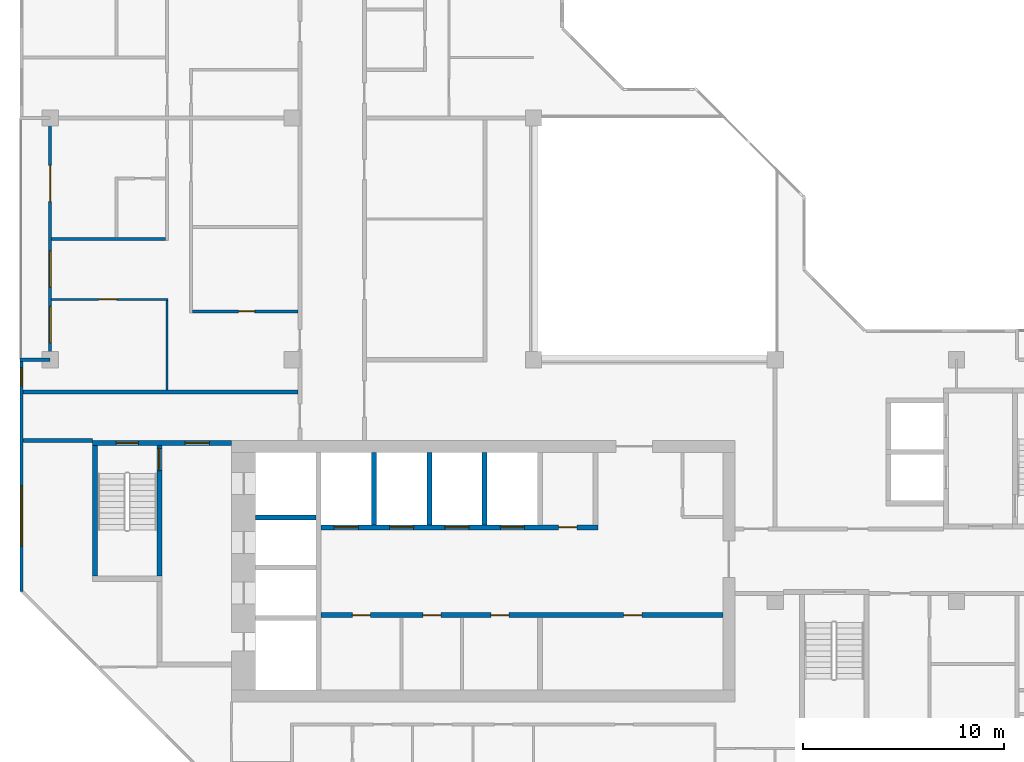
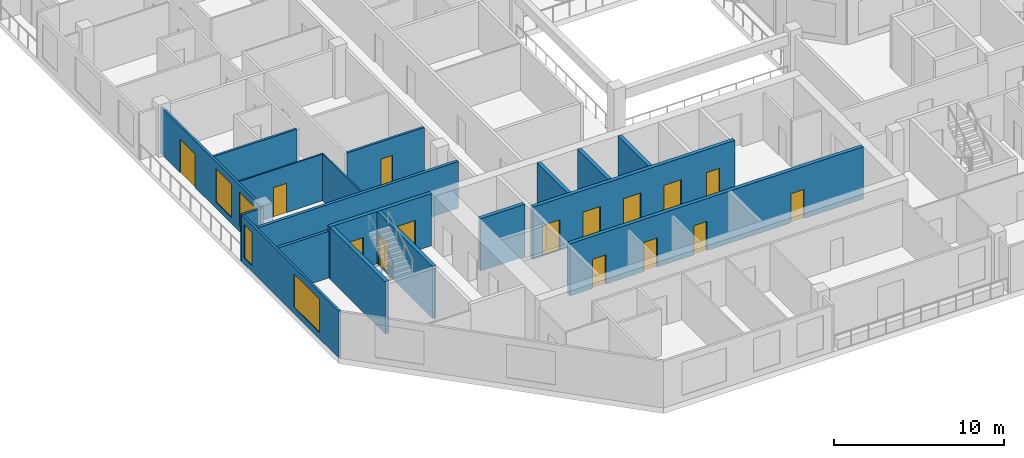
# One storey, part 5 of 13: 18 walls, 15 doors, 4 windows, 19 openings.
"""IFC4 building model written with IfcOpenShell, lengths in metres."""

import ifcopenshell
import ifcopenshell.guid

model = None  # the IFC model being written
_history = None  # IfcOwnerHistory: only IFC2X3 demands one
_inside = {}  # id of a spatial element -> (the spatial element, [elements in it])
_under = {}  # id of a project, library or spatial element -> (it, [spatial elements below it])
_declared = {}  # id of a project -> (the project, [libraries it declares])
_typed = {}  # id of a type object -> (the type object, [elements of that type])
_made_of = {}  # id of a material, layer set ... -> (it, [elements and type objects made of it])


def new_model(schema):
    """Start an empty IFC model of exactly this schema.

    Asked for "IFC4X3", IfcOpenShell would pick the latest addendum, in which some entities
    have other attributes; the version numbers below select the first issue.
    IFC2X3 requires an IfcOwnerHistory on every rooted entity: one is made here for all.
    """
    global model, _history
    if schema == "IFC4X3":
        model = ifcopenshell.file(schema_version=(4, 3, 0, 0))
    else:
        model = ifcopenshell.file(schema=schema)
    _inside.clear()
    _under.clear()
    _declared.clear()
    _typed.clear()
    _made_of.clear()
    _history = None
    if model.schema == "IFC2X3":
        org = make("IfcOrganization", Name="unknown")
        user = make(
            "IfcPersonAndOrganization",
            ThePerson=make("IfcPerson", FamilyName="unknown"),
            TheOrganization=org,
        )
        app = make(
            "IfcApplication",
            ApplicationDeveloper=org,
            Version="unknown",
            ApplicationFullName="unknown",
            ApplicationIdentifier="unknown",
        )
        _history = make(
            "IfcOwnerHistory",
            OwningUser=user,
            OwningApplication=app,
            ChangeAction="ADDED",
            CreationDate=0,
        )
    return model


def make(cls, **values):
    """One entity of the class cls with the attributes given. An attribute that is None is left unset."""
    return model.create_entity(
        cls, **{name: value for name, value in values.items() if value is not None}
    )


def rooted(cls, **values):
    """An entity with a GlobalId (a new one), such as an element, a storey or a relation."""
    return make(cls, GlobalId=ifcopenshell.guid.new(), OwnerHistory=_history, **values)


def si_unit(unit_type, name, prefix=None):
    """IfcSIUnit, for example si_unit("LENGTHUNIT", "METRE", prefix="MILLI")."""
    return make("IfcSIUnit", UnitType=unit_type, Prefix=prefix, Name=name)


def assignment(units):
    """IfcUnitAssignment: the units of a project."""
    return None if units is None else make("IfcUnitAssignment", Units=units)


def point(xyz):
    """IfcCartesianPoint."""
    return None if xyz is None else make("IfcCartesianPoint", Coordinates=xyz)


def direction(xyz):
    """IfcDirection."""
    return None if xyz is None else make("IfcDirection", DirectionRatios=xyz)


def frame(location, z_axis=None, x_axis=None):
    """IfcAxis2Placement3D, a coordinate frame: its origin and axes. An axis left out is left unset."""
    return make(
        "IfcAxis2Placement3D",
        Location=point(location),
        Axis=direction(z_axis),
        RefDirection=direction(x_axis),
    )


def frame_2d(location, x_axis=None):
    """IfcAxis2Placement2D, a coordinate frame in the plane: its origin and x axis."""
    return make(
        "IfcAxis2Placement2D", Location=point(location), RefDirection=direction(x_axis)
    )


def origin():
    """The frame at (0, 0, 0) with its axes left unset."""
    return frame((0.0, 0.0, 0.0))


def place(relative_to, where):
    """IfcLocalPlacement: puts the frame where relative to a parent placement (None: the world)."""
    return make(
        "IfcLocalPlacement", PlacementRelTo=relative_to, RelativePlacement=where
    )


def context(
    kind, dimensions, precision=None, world=None, true_north=None, identifier=None
):
    """IfcGeometricRepresentationContext, for example the 3D "Model" context."""
    return make(
        "IfcGeometricRepresentationContext",
        ContextIdentifier=identifier,
        ContextType=kind,
        CoordinateSpaceDimension=dimensions,
        Precision=precision,
        WorldCoordinateSystem=world,
        TrueNorth=true_north,
    )


def subcontext(parent, identifier, kind, view, scale=None):
    """IfcGeometricRepresentationSubContext, for example "Body" below "Model"."""
    return make(
        "IfcGeometricRepresentationSubContext",
        ContextIdentifier=identifier,
        ContextType=kind,
        ParentContext=parent,
        TargetScale=scale,
        TargetView=view,
    )


def project(units=None, contexts=None):
    """IfcProject with its units and contexts."""
    return rooted(
        "IfcProject",
        Name="project",
        RepresentationContexts=contexts,
        UnitsInContext=assignment(units),
    )


def spatial(cls, under=None, at=None, **own):
    """A site, building, storey or space (cls), placed at a placement, below another one or the project."""
    s = rooted(cls, ObjectPlacement=at, **own)
    if under is not None:
        _under.setdefault(under.id(), (under, []))[1].append(s)
    return s


def profile(cls, at=None, kind="AREA", **sizes):
    """A parametric profile (cls). Its sizes go by their IFC names, for example OverallWidth=200.0."""
    return make(cls, ProfileType=kind, Position=at, **sizes)


def rectangle(**sizes):
    """IfcRectangleProfileDef."""
    return profile("IfcRectangleProfileDef", **sizes)


def extrude(swept, where, along, depth):
    """IfcExtrudedAreaSolid: the profile swept, set in the frame where, extruded along a direction by depth."""
    return make(
        "IfcExtrudedAreaSolid",
        SweptArea=swept,
        Position=where,
        ExtrudedDirection=direction(along),
        Depth=depth,
    )


def shape(context_of_items, identifier, shape_type, items):
    """IfcShapeRepresentation: the items that make up one representation, for example the "Body"."""
    return make(
        "IfcShapeRepresentation",
        ContextOfItems=context_of_items,
        RepresentationIdentifier=identifier,
        RepresentationType=shape_type,
        Items=items,
    )


def material(Name=None, Category=None):
    """IfcMaterial."""
    return make("IfcMaterial", Name=Name, Category=Category)


def layer(
    of_material, thickness, ventilated=None, Name=None, Category=None, Priority=None
):
    """IfcMaterialLayer: one layer of a wall or slab, of a material (None: an air gap)."""
    return make(
        "IfcMaterialLayer",
        Material=of_material,
        LayerThickness=thickness,
        IsVentilated=ventilated,
        Name=Name,
        Category=Category,
        Priority=Priority,
    )


def layer_set(layers, Name=None):
    """IfcMaterialLayerSet."""
    return make("IfcMaterialLayerSet", MaterialLayers=layers, LayerSetName=Name)


def made_of(thing, what):
    """Note that an element or type object is made of a material, layer set ...; save() writes the relation."""
    if what is not None:
        _made_of.setdefault(what.id(), (what, []))[1].append(thing)
    return thing


def type_object(cls, material=None, **own):
    """A type object (cls), such as IfcWallType, which elements share."""
    return made_of(rooted(cls, **own), material)


def element(
    cls,
    number,
    at=None,
    inside=None,
    cuts=None,
    type_object=None,
    material=None,
    context=None,
    identifier="Body",
    shape_type=None,
    held_by="IfcProductDefinitionShape",
    body=None,
    shapes=None,
    **own,
):
    """One element of the class cls, such as IfcWall. Its Tag is "e" and its number.

    at: its placement. inside: the storey or other place that contains it. cuts: it is an
    opening in that element (IfcRelVoidsElement). A single representation is given by context,
    identifier, shape_type and body (its items); several are given by shapes. held_by: the class
    of the entity that holds the representations. save() writes the other relations.
    """
    e = rooted(cls, Tag="e%d" % number, ObjectPlacement=at, **own)
    if body is not None:
        shapes = [shape(context, identifier, shape_type, body)]
    if shapes is not None:
        e.Representation = make(held_by, Representations=shapes)
    if inside is not None:
        _inside.setdefault(inside.id(), (inside, []))[1].append(e)
    if cuts is not None:
        rooted(
            "IfcRelVoidsElement", RelatingBuildingElement=cuts, RelatedOpeningElement=e
        )
    if type_object is not None:
        _typed.setdefault(type_object.id(), (type_object, []))[1].append(e)
    return made_of(e, material)


def fill(opening, filler):
    """IfcRelFillsElement: the door or window that sits in an opening."""
    return rooted(
        "IfcRelFillsElement",
        RelatingOpeningElement=opening,
        RelatedBuildingElement=filler,
    )


def aggregate(whole, parts):
    """IfcRelAggregates: a whole, such as a stair, and the parts it consists of."""
    return rooted("IfcRelAggregates", RelatingObject=whole, RelatedObjects=parts)


def save(model, path):
    """Write the relations noted so far, then the file.

    IfcRelAggregates (storeys below a building ...), IfcRelContainedInSpatialStructure (elements
    in a storey), IfcRelDefinesByType, IfcRelAssociatesMaterial and IfcRelDeclares: one each for
    every whole, place, type object, material and project.
    """
    for whole, parts in _under.values():
        aggregate(whole, parts)
    for where, things in _inside.values():
        rooted(
            "IfcRelContainedInSpatialStructure",
            RelatedElements=things,
            RelatingStructure=where,
        )
    for kind, things in _typed.values():
        rooted("IfcRelDefinesByType", RelatedObjects=things, RelatingType=kind)
    for what, things in _made_of.values():
        rooted("IfcRelAssociatesMaterial", RelatedObjects=things, RelatingMaterial=what)
    for by, libraries in _declared.values():
        rooted("IfcRelDeclares", RelatingContext=by, RelatedDefinitions=libraries)
    model.write(path)


model = new_model("IFC4")

# Units and contexts
model_context = context("Model", 3, precision=1e-05, world=origin(), true_north=direction((0.0, 1.0)))
body_context = subcontext(model_context, "Body", "Model", "MODEL_VIEW")
ifc_project = project(units=[si_unit("LENGTHUNIT", "METRE"), si_unit("AREAUNIT", "SQUARE_METRE"), si_unit("VOLUMEUNIT", "CUBIC_METRE"), si_unit("PLANEANGLEUNIT", "RADIAN"), si_unit("MASSUNIT", "GRAM", prefix="KILO")], contexts=[model_context])

# Site, building, storey
site_placement = place(None, origin())
site = spatial("IfcSite", under=ifc_project, at=site_placement, CompositionType="ELEMENT")
building_placement = place(site_placement, origin())
building = spatial("IfcBuilding", under=site, at=building_placement, Name="Chenar Terraces", CompositionType="ELEMENT")
storey_placement = place(building_placement, frame((0.0, 0.0, 307.14990234375)))
storey = spatial("IfcBuildingStorey", under=building, at=storey_placement, Name="L72", CompositionType="ELEMENT", Elevation=307.14990234375)

# Wall, openings, doors
ifc_material_1 = material(Name="Concrete C50/60", Category="concrete")
ifc_layer_1 = layer(ifc_material_1, 0.25)
ifc_layer_set_1 = layer_set([ifc_layer_1], Name="Concrete C50/60")
wall_type_1 = type_object("IfcWallType", Name="Core wall 250 Concrete C50/60", PredefinedType="SHEAR", material=ifc_layer_set_1)
wall_1_placement = place(storey_placement, frame((13.449951171875, 11.324951171875, 0.0), z_axis=(0.0, 0.0, 1.0), x_axis=(1.0, 0.0, 0.0)))
wall_1 = element("IfcWall", 1, at=wall_1_placement, inside=storey, type_object=wall_type_1, Name="Core wall SF L72", PredefinedType="SHEAR", context=body_context, shape_type="SweptSolid", body=[
    extrude(rectangle(XDim=19.949951171875, YDim=0.25, at=frame_2d((9.97509765625, 0.0))), origin(), (0.0, 0.0, 1.0), 3.75),
])
opening_1_placement = place(wall_1_placement, frame((1.550048828125, 0.0, 0.0)))
opening_1 = element("IfcOpeningElement", 2, at=opening_1_placement, cuts=wall_1, Name="Opening DL72-C12", PredefinedType="OPENING", context=body_context, shape_type="SweptSolid", body=[
    extrude(rectangle(XDim=0.89990234375, YDim=2.10009765625, at=frame_2d((0.449951171875, 1.050048828125))), frame((0.0, 0.135009765625, 0.0), z_axis=(0.0, -1.0, 0.0), x_axis=(1.0, 0.0, 0.0)), (0.0, 0.0, 1.0), 0.27001953125),
])
opening_2_placement = place(wall_1_placement, frame((5.050048828125, 0.0, 0.0)))
opening_2 = element("IfcOpeningElement", 3, at=opening_2_placement, cuts=wall_1, Name="Opening DL72-C13", PredefinedType="OPENING", context=body_context, shape_type="SweptSolid", body=[
    extrude(rectangle(XDim=0.89990234375, YDim=2.10009765625, at=frame_2d((0.449951171875, 1.050048828125))), frame((0.0, 0.135009765625, 0.0), z_axis=(0.0, -1.0, 0.0), x_axis=(1.0, 0.0, 0.0)), (0.0, 0.0, 1.0), 0.27001953125),
])
opening_3_placement = place(wall_1_placement, frame((8.425048828125, 0.0, 0.0)))
opening_3 = element("IfcOpeningElement", 4, at=opening_3_placement, cuts=wall_1, Name="Opening DL72-C14", PredefinedType="OPENING", context=body_context, shape_type="SweptSolid", body=[
    extrude(rectangle(XDim=0.89990234375, YDim=2.10009765625, at=frame_2d((0.449951171875, 1.050048828125))), frame((0.0, 0.135009765625, 0.0), z_axis=(0.0, -1.0, 0.0), x_axis=(1.0, 0.0, 0.0)), (0.0, 0.0, 1.0), 0.27001953125),
])
opening_4_placement = place(wall_1_placement, frame((15.02490234375, 0.0, 0.0)))
opening_4 = element("IfcOpeningElement", 5, at=opening_4_placement, cuts=wall_1, Name="Opening DL72-C15", PredefinedType="OPENING", context=body_context, shape_type="SweptSolid", body=[
    extrude(rectangle(XDim=0.89990234375, YDim=2.10009765625, at=frame_2d((0.449951171875, 1.050048828125))), frame((0.0, 0.135009765625, 0.0), z_axis=(0.0, -1.0, 0.0), x_axis=(1.0, 0.0, 0.0)), (0.0, 0.0, 1.0), 0.27001953125),
])
ifc_material_2 = material(Name="Steel-framed fire-resisting door leaf", Category="steel")
door_type_1 = type_object("IfcDoorType", Name="Riser fire door FD60 900 x 2100", OperationType="SINGLE_SWING_LEFT", PredefinedType="DOOR", material=ifc_material_2)
door_1_placement = place(opening_1_placement, frame((0.89990234375, 0.0, 0.0), z_axis=(0.0, 0.0, 1.0), x_axis=(-1.0, 0.0, 0.0)))
door_1 = element("IfcDoor", 6, at=door_1_placement, inside=storey, type_object=door_type_1, Name="Core room door DL72-C12", OperationType="SINGLE_SWING_LEFT", OverallHeight=2.10009765625, OverallWidth=0.89990234375, PredefinedType="DOOR", context=body_context, shape_type="SweptSolid", body=[
    extrude(rectangle(XDim=0.89990234375, YDim=2.10009765625, at=frame_2d((0.449951171875, 1.050048828125))), frame((0.0, 0.02490234375, 0.0), z_axis=(0.0, -1.0, 0.0), x_axis=(1.0, 0.0, 0.0)), (0.0, 0.0, 1.0), 0.050048828125),
])
fill(opening_1, door_1)
door_2_placement = place(opening_2_placement, frame((0.89990234375, 0.0, 0.0), z_axis=(0.0, 0.0, 1.0), x_axis=(-1.0, 0.0, 0.0)))
door_2 = element("IfcDoor", 7, at=door_2_placement, inside=storey, type_object=door_type_1, Name="Core room door DL72-C13", OperationType="SINGLE_SWING_LEFT", OverallHeight=2.10009765625, OverallWidth=0.89990234375, PredefinedType="DOOR", context=body_context, shape_type="SweptSolid", body=[
    extrude(rectangle(XDim=0.89990234375, YDim=2.10009765625, at=frame_2d((0.449951171875, 1.050048828125))), frame((0.0, 0.02490234375, 0.0), z_axis=(0.0, -1.0, 0.0), x_axis=(1.0, 0.0, 0.0)), (0.0, 0.0, 1.0), 0.050048828125),
])
fill(opening_2, door_2)
door_3_placement = place(opening_3_placement, frame((0.89990234375, 0.0, 0.0), z_axis=(0.0, 0.0, 1.0), x_axis=(-1.0, 0.0, 0.0)))
door_3 = element("IfcDoor", 8, at=door_3_placement, inside=storey, type_object=door_type_1, Name="Core room door DL72-C14", OperationType="SINGLE_SWING_RIGHT", OverallHeight=2.10009765625, OverallWidth=0.89990234375, PredefinedType="DOOR", context=body_context, shape_type="SweptSolid", body=[
    extrude(rectangle(XDim=0.89990234375, YDim=2.10009765625, at=frame_2d((0.449951171875, 1.050048828125))), frame((0.0, 0.02490234375, 0.0), z_axis=(0.0, -1.0, 0.0), x_axis=(1.0, 0.0, 0.0)), (0.0, 0.0, 1.0), 0.050048828125),
])
fill(opening_3, door_3)
door_4_placement = place(opening_4_placement, frame((0.89990234375, 0.0, 0.0), z_axis=(0.0, 0.0, 1.0), x_axis=(-1.0, 0.0, 0.0)))
door_4 = element("IfcDoor", 9, at=door_4_placement, inside=storey, type_object=door_type_1, Name="Core room door DL72-C15", OperationType="SINGLE_SWING_LEFT", OverallHeight=2.10009765625, OverallWidth=0.89990234375, PredefinedType="DOOR", context=body_context, shape_type="SweptSolid", body=[
    extrude(rectangle(XDim=0.89990234375, YDim=2.10009765625, at=frame_2d((0.449951171875, 1.050048828125))), frame((0.0, 0.02490234375, 0.0), z_axis=(0.0, -1.0, 0.0), x_axis=(1.0, 0.0, 0.0)), (0.0, 0.0, 1.0), 0.050048828125),
])
fill(opening_4, door_4)

wall_2_placement = place(storey_placement, frame((13.449951171875, 15.675048828125, 0.0), z_axis=(0.0, 0.0, 1.0), x_axis=(1.0, 0.0, 0.0)))
wall_2 = element("IfcWall", 10, at=wall_2_placement, inside=storey, type_object=wall_type_1, Name="Core wall NF L72", PredefinedType="SHEAR", context=body_context, shape_type="SweptSolid", body=[
    extrude(rectangle(XDim=13.75, YDim=0.25, at=frame_2d((6.875, 0.0))), origin(), (0.0, 0.0, 1.0), 3.75),
])
opening_5_placement = place(wall_2_placement, frame((0.64990234375, 0.0, 0.0)))
opening_5 = element("IfcOpeningElement", 11, at=opening_5_placement, cuts=wall_2, Name="Opening DL72-LD1", PredefinedType="OPENING", context=body_context, shape_type="SweptSolid", body=[
    extrude(rectangle(XDim=1.199951171875, YDim=2.199951171875, at=frame_2d((0.60009765625, 1.10009765625))), frame((0.0, 0.135009765625, 0.0), z_axis=(0.0, -1.0, 0.0), x_axis=(1.0, 0.0, 0.0)), (0.0, 0.0, 1.0), 0.27001953125),
])
opening_6_placement = place(wall_2_placement, frame((3.39990234375, 0.0, 0.0)))
opening_6 = element("IfcOpeningElement", 12, at=opening_6_placement, cuts=wall_2, Name="Opening DL72-LD2", PredefinedType="OPENING", context=body_context, shape_type="SweptSolid", body=[
    extrude(rectangle(XDim=1.199951171875, YDim=2.199951171875, at=frame_2d((0.60009765625, 1.10009765625))), frame((0.0, 0.135009765625, 0.0), z_axis=(0.0, -1.0, 0.0), x_axis=(1.0, 0.0, 0.0)), (0.0, 0.0, 1.0), 0.27001953125),
])
opening_7_placement = place(wall_2_placement, frame((6.14990234375, 0.0, 0.0)))
opening_7 = element("IfcOpeningElement", 13, at=opening_7_placement, cuts=wall_2, Name="Opening DL72-LD3", PredefinedType="OPENING", context=body_context, shape_type="SweptSolid", body=[
    extrude(rectangle(XDim=1.199951171875, YDim=2.199951171875, at=frame_2d((0.60009765625, 1.10009765625))), frame((0.0, 0.135009765625, 0.0), z_axis=(0.0, -1.0, 0.0), x_axis=(1.0, 0.0, 0.0)), (0.0, 0.0, 1.0), 0.27001953125),
])
opening_8_placement = place(wall_2_placement, frame((8.89990234375, 0.0, 0.0)))
opening_8 = element("IfcOpeningElement", 14, at=opening_8_placement, cuts=wall_2, Name="Opening DL72-LD4", PredefinedType="OPENING", context=body_context, shape_type="SweptSolid", body=[
    extrude(rectangle(XDim=1.199951171875, YDim=2.199951171875, at=frame_2d((0.60009765625, 1.10009765625))), frame((0.0, 0.135009765625, 0.0), z_axis=(0.0, -1.0, 0.0), x_axis=(1.0, 0.0, 0.0)), (0.0, 0.0, 1.0), 0.27001953125),
])
opening_9_placement = place(wall_2_placement, frame((11.800048828125, 0.0, 0.0)))
opening_9 = element("IfcOpeningElement", 15, at=opening_9_placement, cuts=wall_2, Name="Opening DL72-C16", PredefinedType="OPENING", context=body_context, shape_type="SweptSolid", body=[
    extrude(rectangle(XDim=0.89990234375, YDim=2.10009765625, at=frame_2d((0.449951171875, 1.050048828125))), frame((0.0, 0.135009765625, 0.0), z_axis=(0.0, -1.0, 0.0), x_axis=(1.0, 0.0, 0.0)), (0.0, 0.0, 1.0), 0.27001953125),
])
ifc_material_3 = material(Name="Stainless steel", Category="steel")
door_type_2 = type_object("IfcDoorType", Name="Lift landing door 1200 x 2200 sliding", OperationType="DOUBLE_DOOR_SLIDING", PredefinedType="DOOR", material=ifc_material_3)
door_5_placement = place(opening_5_placement, origin())
door_5 = element("IfcDoor", 16, at=door_5_placement, inside=storey, type_object=door_type_2, Name="Landing door H1", OperationType="DOUBLE_DOOR_SLIDING", OverallHeight=2.199951171875, OverallWidth=1.199951171875, PredefinedType="DOOR", context=body_context, shape_type="SweptSolid", body=[
    extrude(rectangle(XDim=1.199951171875, YDim=2.199951171875, at=frame_2d((0.60009765625, 1.10009765625))), frame((0.0, 0.02490234375, 0.0), z_axis=(0.0, -1.0, 0.0), x_axis=(1.0, 0.0, 0.0)), (0.0, 0.0, 1.0), 0.050048828125),
])
fill(opening_5, door_5)
door_6_placement = place(opening_6_placement, origin())
door_6 = element("IfcDoor", 17, at=door_6_placement, inside=storey, type_object=door_type_2, Name="Landing door H2", OperationType="DOUBLE_DOOR_SLIDING", OverallHeight=2.199951171875, OverallWidth=1.199951171875, PredefinedType="DOOR", context=body_context, shape_type="SweptSolid", body=[
    extrude(rectangle(XDim=1.199951171875, YDim=2.199951171875, at=frame_2d((0.60009765625, 1.10009765625))), frame((0.0, 0.02490234375, 0.0), z_axis=(0.0, -1.0, 0.0), x_axis=(1.0, 0.0, 0.0)), (0.0, 0.0, 1.0), 0.050048828125),
])
fill(opening_6, door_6)
door_7_placement = place(opening_7_placement, origin())
door_7 = element("IfcDoor", 18, at=door_7_placement, inside=storey, type_object=door_type_2, Name="Landing door H3", OperationType="DOUBLE_DOOR_SLIDING", OverallHeight=2.199951171875, OverallWidth=1.199951171875, PredefinedType="DOOR", context=body_context, shape_type="SweptSolid", body=[
    extrude(rectangle(XDim=1.199951171875, YDim=2.199951171875, at=frame_2d((0.60009765625, 1.10009765625))), frame((0.0, 0.02490234375, 0.0), z_axis=(0.0, -1.0, 0.0), x_axis=(1.0, 0.0, 0.0)), (0.0, 0.0, 1.0), 0.050048828125),
])
fill(opening_7, door_7)
door_8_placement = place(opening_8_placement, origin())
door_8 = element("IfcDoor", 19, at=door_8_placement, inside=storey, type_object=door_type_2, Name="Landing door H4", OperationType="DOUBLE_DOOR_SLIDING", OverallHeight=2.199951171875, OverallWidth=1.199951171875, PredefinedType="DOOR", context=body_context, shape_type="SweptSolid", body=[
    extrude(rectangle(XDim=1.199951171875, YDim=2.199951171875, at=frame_2d((0.60009765625, 1.10009765625))), frame((0.0, 0.02490234375, 0.0), z_axis=(0.0, -1.0, 0.0), x_axis=(1.0, 0.0, 0.0)), (0.0, 0.0, 1.0), 0.050048828125),
])
fill(opening_8, door_8)
door_9_placement = place(opening_9_placement, origin())
door_9 = element("IfcDoor", 20, at=door_9_placement, inside=storey, type_object=door_type_1, Name="Core room door DL72-C16", OperationType="SINGLE_SWING_RIGHT", OverallHeight=2.10009765625, OverallWidth=0.89990234375, PredefinedType="DOOR", context=body_context, shape_type="SweptSolid", body=[
    extrude(rectangle(XDim=0.89990234375, YDim=2.10009765625, at=frame_2d((0.449951171875, 1.050048828125))), frame((0.0, 0.02490234375, 0.0), z_axis=(0.0, -1.0, 0.0), x_axis=(1.0, 0.0, 0.0)), (0.0, 0.0, 1.0), 0.050048828125),
])
fill(opening_9, door_9)

# Walls
wall_3_placement = place(storey_placement, frame((10.199951171875, 16.175048828125, 0.0), z_axis=(0.0, 0.0, 1.0), x_axis=(1.0, 0.0, 0.0)))
element("IfcWall", 21, at=wall_3_placement, inside=storey, type_object=wall_type_1, Name="Core wall HW2 L72", PredefinedType="SHEAR", context=body_context, shape_type="SweptSolid", body=[
    extrude(rectangle(XDim=3.0, YDim=0.25, at=frame_2d((1.5, 0.0))), origin(), (0.0, 0.0, 1.0), 3.75),
])
for number, where, z_axis, x_axis, name in (
    (22, (16.074951171875, 15.800048828125, 0.0), (0.0, 0.0, 1.0), (0.0, 1.0, 0.0), "Core wall NS0 L72"),
    (23, (18.824951171875, 15.800048828125, 0.0), (0.0, 0.0, 1.0), (0.0, 1.0, 0.0), "Core wall NS1 L72"),
    (24, (21.574951171875, 15.800048828125, 0.0), (0.0, 0.0, 1.0), (0.0, 1.0, 0.0), "Core wall NS2 L72"),
):
    element("IfcWall", number, at=place(storey_placement, frame(where, z_axis=z_axis, x_axis=x_axis)), inside=storey, type_object=wall_type_1, Name=name, PredefinedType="SHEAR", context=body_context, shape_type="SweptSolid", body=[
        extrude(rectangle(XDim=3.599853515625, YDim=0.25, at=frame_2d((1.7998046875, 0.0))), origin(), (0.0, 0.0, 1.0), 3.75),
    ])

# Wall, openings, doors
wall_4_placement = place(storey_placement, frame((2.10009765625, 19.875, 0.0), z_axis=(0.0, 0.0, 1.0), x_axis=(1.0, 0.0, 0.0)))
wall_4 = element("IfcWall", 25, at=wall_4_placement, inside=storey, type_object=wall_type_1, Name="Core wall A_N L72", PredefinedType="SHEAR", context=body_context, shape_type="SweptSolid", body=[
    extrude(rectangle(XDim=6.89990234375, YDim=0.25, at=frame_2d((3.449951171875, 0.0))), origin(), (0.0, 0.0, 1.0), 3.75),
])
opening_10_placement = place(wall_4_placement, frame((1.175048828125, 0.0, 0.0)))
opening_10 = element("IfcOpeningElement", 26, at=opening_10_placement, cuts=wall_4, Name="Opening DL72-C5", PredefinedType="OPENING", context=body_context, shape_type="SweptSolid", body=[
    extrude(rectangle(XDim=1.10009765625, YDim=2.199951171875, at=frame_2d((0.550048828125, 1.10009765625))), frame((0.0, 0.135009765625, 0.0), z_axis=(0.0, -1.0, 0.0), x_axis=(1.0, 0.0, 0.0)), (0.0, 0.0, 1.0), 0.27001953125),
])
opening_11_placement = place(wall_4_placement, frame((4.60009765625, 0.0, 0.0)))
opening_11 = element("IfcOpeningElement", 27, at=opening_11_placement, cuts=wall_4, Name="Opening DL72-C6", PredefinedType="OPENING", context=body_context, shape_type="SweptSolid", body=[
    extrude(rectangle(XDim=1.199951171875, YDim=2.199951171875, at=frame_2d((0.60009765625, 1.10009765625))), frame((0.0, 0.135009765625, 0.0), z_axis=(0.0, -1.0, 0.0), x_axis=(1.0, 0.0, 0.0)), (0.0, 0.0, 1.0), 0.27001953125),
])
ifc_material_4 = material(Name="Steel-framed fire-resisting door leaf", Category="steel")
door_type_3 = type_object("IfcDoorType", Name="Lobby fire door FD60 1200 x 2200", OperationType="SINGLE_SWING_LEFT", PredefinedType="DOOR", material=ifc_material_4)
door_10_placement = place(opening_11_placement, frame((1.199951171875, 0.0, 0.0), z_axis=(0.0, 0.0, 1.0), x_axis=(-1.0, 0.0, 0.0)))
door_10 = element("IfcDoor", 28, at=door_10_placement, inside=storey, type_object=door_type_3, Name="Core door DL72-C6", OperationType="SINGLE_SWING_LEFT", OverallHeight=2.199951171875, OverallWidth=1.199951171875, PredefinedType="DOOR", context=body_context, shape_type="SweptSolid", body=[
    extrude(rectangle(XDim=1.199951171875, YDim=2.199951171875, at=frame_2d((0.60009765625, 1.10009765625))), frame((0.0, 0.02490234375, 0.0), z_axis=(0.0, -1.0, 0.0), x_axis=(1.0, 0.0, 0.0)), (0.0, 0.0, 1.0), 0.050048828125),
])
fill(opening_11, door_10)
ifc_material_5 = material(Name="Steel-framed fire-resisting door leaf", Category="steel")
door_type_4 = type_object("IfcDoorType", Name="Stair fire door FD60 1100 x 2200", OperationType="SINGLE_SWING_LEFT", PredefinedType="DOOR", material=ifc_material_5)
door_11_placement = place(opening_10_placement, origin())
door_11 = element("IfcDoor", 29, at=door_11_placement, inside=storey, type_object=door_type_4, Name="Stair door DL72-C5", OperationType="SINGLE_SWING_LEFT", OverallHeight=2.199951171875, OverallWidth=1.10009765625, PredefinedType="DOOR", context=body_context, shape_type="SweptSolid", body=[
    extrude(rectangle(XDim=1.10009765625, YDim=2.199951171875, at=frame_2d((0.550048828125, 1.10009765625))), frame((0.0, 0.02490234375, 0.0), z_axis=(0.0, -1.0, 0.0), x_axis=(1.0, 0.0, 0.0)), (0.0, 0.0, 1.0), 0.050048828125),
])
fill(opening_10, door_11)

# Wall
wall_5_placement = place(storey_placement, frame((2.22509765625, 13.25, 0.0), z_axis=(0.0, 0.0, 1.0), x_axis=(0.0, 1.0, 0.0)))
element("IfcWall", 30, at=wall_5_placement, inside=storey, type_object=wall_type_1, Name="Core wall ST1_W L72", PredefinedType="SHEAR", context=body_context, shape_type="SweptSolid", body=[
    extrude(rectangle(XDim=6.5, YDim=0.25, at=frame_2d((3.25, 0.0))), origin(), (0.0, 0.0, 1.0), 3.75),
])

# Wall, opening, door
wall_6_placement = place(storey_placement, frame((5.425048828125, 13.25, 0.0), z_axis=(0.0, 0.0, 1.0), x_axis=(0.0, 1.0, 0.0)))
wall_6 = element("IfcWall", 31, at=wall_6_placement, inside=storey, type_object=wall_type_1, Name="Core wall ST1_E L72", PredefinedType="SHEAR", context=body_context, shape_type="SweptSolid", body=[
    extrude(rectangle(XDim=6.5, YDim=0.25, at=frame_2d((3.25, 0.0))), origin(), (0.0, 0.0, 1.0), 3.75),
])
opening_12_placement = place(wall_6_placement, frame((5.25, 0.0, 0.0)))
opening_12 = element("IfcOpeningElement", 32, at=opening_12_placement, cuts=wall_6, Name="Opening DL72-C3", PredefinedType="OPENING", context=body_context, shape_type="SweptSolid", body=[
    extrude(rectangle(XDim=1.10009765625, YDim=2.199951171875, at=frame_2d((0.550048828125, 1.10009765625))), frame((0.0, 0.135009765625, 0.0), z_axis=(0.0, -1.0, 0.0), x_axis=(1.0, 0.0, 0.0)), (0.0, 0.0, 1.0), 0.27001953125),
])
door_12_placement = place(opening_12_placement, origin())
door_12 = element("IfcDoor", 33, at=door_12_placement, inside=storey, type_object=door_type_4, Name="Stair door DL72-C3", OperationType="SINGLE_SWING_RIGHT", OverallHeight=2.199951171875, OverallWidth=1.10009765625, PredefinedType="DOOR", context=body_context, shape_type="SweptSolid", body=[
    extrude(rectangle(XDim=1.10009765625, YDim=2.199951171875, at=frame_2d((0.550048828125, 1.10009765625))), frame((0.0, 0.02490234375, 0.0), z_axis=(0.0, -1.0, 0.0), x_axis=(1.0, 0.0, 0.0)), (0.0, 0.0, 1.0), 0.050048828125),
])
fill(opening_12, door_12)

# Walls
ifc_material_6 = material(Name="Gypsum board on steel studs with fire boards", Category="steel")
ifc_layer_2 = layer(ifc_material_6, 0.199951171875)
ifc_layer_set_2 = layer_set([ifc_layer_2], Name="Gypsum board on steel studs with fire boards")
wall_type_2 = type_object("IfcWallType", Name="Corridor wall 200", PredefinedType="PARTITIONING", material=ifc_layer_set_2)
wall_7_placement = place(storey_placement, frame((-1.35009765625, 20.0, 0.0), z_axis=(0.0, 0.0, 1.0), x_axis=(1.0, 0.0, 0.0)))
element("IfcWall", 34, at=wall_7_placement, inside=storey, type_object=wall_type_2, Name="Partition L72-003", PredefinedType="PARTITIONING", context=body_context, shape_type="SweptSolid", body=[
    extrude(rectangle(XDim=3.4501953125, YDim=0.199951171875, at=frame_2d((1.72509765625, 0.0))), origin(), (0.0, 0.0, 1.0), 3.35009765625),
])
wall_8_placement = place(storey_placement, frame((-1.35009765625, 22.39990234375, 0.0), z_axis=(0.0, 0.0, 1.0), x_axis=(1.0, 0.0, 0.0)))
element("IfcWall", 35, at=wall_8_placement, inside=storey, type_object=wall_type_2, Name="Partition L72-004", PredefinedType="PARTITIONING", context=body_context, shape_type="SweptSolid", body=[
    extrude(rectangle(XDim=13.650146484375, YDim=0.199951171875, at=frame_2d((6.8251953125, 0.0))), origin(), (0.0, 0.0, 1.0), 3.35009765625),
])

# Wall, openings, windows
ifc_material_7 = material(Name="Aluminium framed glazing", Category="aluminium")
ifc_layer_3 = layer(ifc_material_7, 0.14990234375)
ifc_layer_set_3 = layer_set([ifc_layer_3], Name="Aluminium framed glazing")
wall_type_3 = type_object("IfcWallType", Name="Glazed flush facade wall 150", PredefinedType="SOLIDWALL", material=ifc_layer_set_3)
wall_9_placement = place(storey_placement, frame((-1.425048828125, 23.925048828125, 0.0), z_axis=(0.0, 0.0, 1.0), x_axis=(0.0, -1.0, 0.0)))
wall_9 = element("IfcWall", 36, at=wall_9_placement, inside=storey, type_object=wall_type_3, Name="Glazed flush facade wall", PredefinedType="SOLIDWALL", context=body_context, shape_type="SweptSolid", body=[
    extrude(rectangle(XDim=11.425048828125, YDim=0.14990234375, at=frame_2d((5.71240234375, 0.0))), origin(), (0.0, 0.0, 1.0), 3.35009765625),
])
opening_13_placement = place(wall_9_placement, frame((0.3125, 0.0, 0.449951171875)))
opening_13 = element("IfcOpeningElement", 37, at=opening_13_placement, cuts=wall_9, Name="Opening W90x240", PredefinedType="OPENING", context=body_context, shape_type="SweptSolid", body=[
    extrude(rectangle(XDim=0.89990234375, YDim=2.39990234375, at=frame_2d((0.449951171875, 1.199951171875))), frame((0.0, 0.0849609375, 0.0), z_axis=(0.0, -1.0, 0.0), x_axis=(1.0, 0.0, 0.0)), (0.0, 0.0, 1.0), 0.169921875),
])
opening_14_placement = place(wall_9_placement, frame((6.175048828125, 0.0, 0.449951171875)))
opening_14 = element("IfcOpeningElement", 38, at=opening_14_placement, cuts=wall_9, Name="Opening W300x240", PredefinedType="OPENING", context=body_context, shape_type="SweptSolid", body=[
    extrude(rectangle(XDim=3.0, YDim=2.39990234375, at=frame_2d((1.5, 1.199951171875))), frame((0.0, 0.0849609375, 0.0), z_axis=(0.0, -1.0, 0.0), x_axis=(1.0, 0.0, 0.0)), (0.0, 0.0, 1.0), 0.169921875),
])
ifc_material_8 = material(Name="Low emissivity double glazing, aluminium frame", Category="aluminium")
window_type_1 = type_object("IfcWindowType", Name="Fixed light 3000 x 2400", PartitioningType="SINGLE_PANEL", PredefinedType="WINDOW", material=ifc_material_8)
window_1_placement = place(opening_14_placement, origin())
window_1 = element("IfcWindow", 39, at=window_1_placement, inside=storey, type_object=window_type_1, Name="Window", OverallHeight=2.39990234375, OverallWidth=3.0, PartitioningType="SINGLE_PANEL", PredefinedType="WINDOW", context=body_context, shape_type="SweptSolid", body=[
    extrude(rectangle(XDim=3.0, YDim=2.39990234375, at=frame_2d((1.5, 1.199951171875))), frame((0.0, 0.030029296875, 0.0), z_axis=(0.0, -1.0, 0.0), x_axis=(1.0, 0.0, 0.0)), (0.0, 0.0, 1.0), 0.06005859375),
])
fill(opening_14, window_1)
ifc_material_9 = material(Name="Low emissivity double glazing, aluminium frame", Category="aluminium")
window_type_2 = type_object("IfcWindowType", Name="Fixed light 900 x 2400", PartitioningType="SINGLE_PANEL", PredefinedType="WINDOW", material=ifc_material_9)
window_2_placement = place(opening_13_placement, origin())
window_2 = element("IfcWindow", 40, at=window_2_placement, inside=storey, type_object=window_type_2, Name="Window", OverallHeight=2.39990234375, OverallWidth=0.89990234375, PartitioningType="SINGLE_PANEL", PredefinedType="WINDOW", context=body_context, shape_type="SweptSolid", body=[
    extrude(rectangle(XDim=0.89990234375, YDim=2.39990234375, at=frame_2d((0.449951171875, 1.199951171875))), frame((0.0, 0.030029296875, 0.0), z_axis=(0.0, -1.0, 0.0), x_axis=(1.0, 0.0, 0.0)), (0.0, 0.0, 1.0), 0.06005859375),
])
fill(opening_13, window_2)

# Wall, openings, windows, door
ifc_material_10 = material(Name="Aluminium framed glazing", Category="aluminium")
ifc_layer_4 = layer(ifc_material_10, 0.14990234375)
ifc_layer_set_4 = layer_set([ifc_layer_4], Name="Aluminium framed glazing")
wall_type_4 = type_object("IfcWallType", Name="Glazed loggia back wall 150", PredefinedType="SOLIDWALL", material=ifc_layer_set_4)
wall_10_placement = place(storey_placement, frame((0.0, 35.925048828125, 0.0), z_axis=(0.0, 0.0, 1.0), x_axis=(0.0, -1.0, 0.0)))
wall_10 = element("IfcWall", 41, at=wall_10_placement, inside=storey, type_object=wall_type_4, Name="Glazed loggia back wall", PredefinedType="SOLIDWALL", context=body_context, shape_type="SweptSolid", body=[
    extrude(rectangle(XDim=11.85009765625, YDim=0.14990234375, at=frame_2d((5.925048828125, 0.0))), origin(), (0.0, 0.0, 1.0), 3.35009765625),
])
opening_15_placement = place(wall_10_placement, frame((2.27490234375, 0.0, 0.0)))
opening_15 = element("IfcOpeningElement", 42, at=opening_15_placement, cuts=wall_10, Name="Opening DL72-G4", PredefinedType="OPENING", context=body_context, shape_type="SweptSolid", body=[
    extrude(rectangle(XDim=1.800048828125, YDim=2.39990234375, at=frame_2d((0.89990234375, 1.199951171875))), frame((0.0, 0.0849609375, 0.0), z_axis=(0.0, -1.0, 0.0), x_axis=(1.0, 0.0, 0.0)), (0.0, 0.0, 1.0), 0.169921875),
])
opening_16_placement = place(wall_10_placement, frame((6.52490234375, 0.0, 0.449951171875)))
opening_16 = element("IfcOpeningElement", 43, at=opening_16_placement, cuts=wall_10, Name="Opening W180x240", PredefinedType="OPENING", context=body_context, shape_type="SweptSolid", body=[
    extrude(rectangle(XDim=1.800048828125, YDim=2.39990234375, at=frame_2d((0.89990234375, 1.199951171875))), frame((0.0, 0.0849609375, 0.0), z_axis=(0.0, -1.0, 0.0), x_axis=(1.0, 0.0, 0.0)), (0.0, 0.0, 1.0), 0.169921875),
])
opening_17_placement = place(wall_10_placement, frame((9.27490234375, 0.0, 0.449951171875)))
opening_17 = element("IfcOpeningElement", 44, at=opening_17_placement, cuts=wall_10, Name="Opening W180x240", PredefinedType="OPENING", context=body_context, shape_type="SweptSolid", body=[
    extrude(rectangle(XDim=1.800048828125, YDim=2.39990234375, at=frame_2d((0.89990234375, 1.199951171875))), frame((0.0, 0.0849609375, 0.0), z_axis=(0.0, -1.0, 0.0), x_axis=(1.0, 0.0, 0.0)), (0.0, 0.0, 1.0), 0.169921875),
])
ifc_material_11 = material(Name="Low emissivity double glazing, aluminium frame", Category="aluminium")
window_type_3 = type_object("IfcWindowType", Name="Fixed light 1800 x 2400", PartitioningType="SINGLE_PANEL", PredefinedType="WINDOW", material=ifc_material_11)
window_3_placement = place(opening_16_placement, origin())
window_3 = element("IfcWindow", 45, at=window_3_placement, inside=storey, type_object=window_type_3, Name="Window", OverallHeight=2.39990234375, OverallWidth=1.800048828125, PartitioningType="SINGLE_PANEL", PredefinedType="WINDOW", context=body_context, shape_type="SweptSolid", body=[
    extrude(rectangle(XDim=1.800048828125, YDim=2.39990234375, at=frame_2d((0.89990234375, 1.199951171875))), frame((0.0, 0.030029296875, 0.0), z_axis=(0.0, -1.0, 0.0), x_axis=(1.0, 0.0, 0.0)), (0.0, 0.0, 1.0), 0.06005859375),
])
fill(opening_16, window_3)
window_4_placement = place(opening_17_placement, origin())
window_4 = element("IfcWindow", 46, at=window_4_placement, inside=storey, type_object=window_type_3, Name="Window", OverallHeight=2.39990234375, OverallWidth=1.800048828125, PartitioningType="SINGLE_PANEL", PredefinedType="WINDOW", context=body_context, shape_type="SweptSolid", body=[
    extrude(rectangle(XDim=1.800048828125, YDim=2.39990234375, at=frame_2d((0.89990234375, 1.199951171875))), frame((0.0, 0.030029296875, 0.0), z_axis=(0.0, -1.0, 0.0), x_axis=(1.0, 0.0, 0.0)), (0.0, 0.0, 1.0), 0.06005859375),
])
fill(opening_17, window_4)
ifc_material_12 = material(Name="Low emissivity double glazing, aluminium frame", Category="aluminium")
door_type_5 = type_object("IfcDoorType", Name="Loggia glazed double door 1800 x 2400", OperationType="DOUBLE_DOOR_SINGLE_SWING", PredefinedType="DOOR", material=ifc_material_12)
door_13_placement = place(opening_15_placement, frame((1.800048828125, 0.0, 0.0), z_axis=(0.0, 0.0, 1.0), x_axis=(-1.0, 0.0, 0.0)))
door_13 = element("IfcDoor", 47, at=door_13_placement, inside=storey, type_object=door_type_5, Name="Loggia glazed door", OperationType="DOUBLE_DOOR_SINGLE_SWING", OverallHeight=2.39990234375, OverallWidth=1.800048828125, PredefinedType="DOOR", context=body_context, shape_type="SweptSolid", body=[
    extrude(rectangle(XDim=1.800048828125, YDim=2.39990234375, at=frame_2d((0.89990234375, 1.199951171875))), frame((0.0, 0.02490234375, 0.0), z_axis=(0.0, -1.0, 0.0), x_axis=(1.0, 0.0, 0.0)), (0.0, 0.0, 1.0), 0.050048828125),
])
fill(opening_15, door_13)

# Wall, opening, door
ifc_material_13 = material(Name="Gypsum board on steel studs", Category="steel")
ifc_layer_5 = layer(ifc_material_13, 0.10009765625)
ifc_layer_set_5 = layer_set([ifc_layer_5], Name="Gypsum board on steel studs")
wall_type_5 = type_object("IfcWallType", Name="Gypsum partition 100", PredefinedType="PARTITIONING", material=ifc_layer_set_5)
wall_11_placement = place(storey_placement, frame((0.073974609375, 27.0, 0.0), z_axis=(0.0, 0.0, 1.0), x_axis=(1.0, 0.0, 0.0)))
wall_11 = element("IfcWall", 48, at=wall_11_placement, inside=storey, type_object=wall_type_5, Name="Partition L72-007", PredefinedType="PARTITIONING", context=body_context, shape_type="SweptSolid", body=[
    extrude(rectangle(XDim=5.776123046875, YDim=0.10009765625, at=frame_2d((2.88818359375, 0.0))), origin(), (0.0, 0.0, 1.0), 3.35009765625),
])
opening_18_placement = place(wall_11_placement, frame((2.325927734375, 0.0, 0.0)))
opening_18 = element("IfcOpeningElement", 49, at=opening_18_placement, cuts=wall_11, Name="Opening DL72-48", PredefinedType="OPENING", context=body_context, shape_type="SweptSolid", body=[
    extrude(rectangle(XDim=0.89990234375, YDim=2.10009765625, at=frame_2d((0.449951171875, 1.050048828125))), frame((0.0, 0.06005859375, 0.0), z_axis=(0.0, -1.0, 0.0), x_axis=(1.0, 0.0, 0.0)), (0.0, 0.0, 1.0), 0.1201171875),
])
ifc_material_14 = material(Name="Veneered timber door leaf", Category="wood")
door_type_6 = type_object("IfcDoorType", Name="Door 900 x 2100", OperationType="SINGLE_SWING_LEFT", PredefinedType="DOOR", material=ifc_material_14)
door_14_placement = place(opening_18_placement, frame((0.89990234375, 0.0, 0.0), z_axis=(0.0, 0.0, 1.0), x_axis=(-1.0, 0.0, 0.0)))
door_14 = element("IfcDoor", 50, at=door_14_placement, inside=storey, type_object=door_type_6, Name="Door DL72-48", OperationType="SINGLE_SWING_RIGHT", OverallHeight=2.10009765625, OverallWidth=0.89990234375, PredefinedType="DOOR", context=body_context, shape_type="SweptSolid", body=[
    extrude(rectangle(XDim=0.89990234375, YDim=2.10009765625, at=frame_2d((0.449951171875, 1.050048828125))), frame((0.0, 0.02490234375, 0.0), z_axis=(0.0, -1.0, 0.0), x_axis=(1.0, 0.0, 0.0)), (0.0, 0.0, 1.0), 0.050048828125),
])
fill(opening_18, door_14)

# Walls
wall_12_placement = place(storey_placement, frame((5.800048828125, 22.5, 0.0), z_axis=(0.0, 0.0, 1.0), x_axis=(0.0, 1.0, 0.0)))
element("IfcWall", 51, at=wall_12_placement, inside=storey, type_object=wall_type_5, Name="Partition L72-014", PredefinedType="PARTITIONING", context=body_context, shape_type="SweptSolid", body=[
    extrude(rectangle(XDim=4.449951171875, YDim=0.10009765625, at=frame_2d((2.22509765625, 0.0))), origin(), (0.0, 0.0, 1.0), 3.35009765625),
])
ifc_material_15 = material(Name="Terracotta cladding on insulated backing", Category="masonry")
ifc_layer_6 = layer(ifc_material_15, 0.14990234375)
ifc_layer_set_6 = layer_set([ifc_layer_6], Name="Terracotta cladding on insulated backing")
wall_type_6 = type_object("IfcWallType", Name="Loggia return wall 150", PredefinedType="SOLIDWALL", material=ifc_layer_set_6)
wall_13_placement = place(storey_placement, frame((-1.5, 24.0, 0.0), z_axis=(0.0, 0.0, 1.0), x_axis=(1.0, 0.0, 0.0)))
element("IfcWall", 52, at=wall_13_placement, inside=storey, type_object=wall_type_6, Name="Loggia return wall", PredefinedType="SOLIDWALL", context=body_context, shape_type="SweptSolid", body=[
    extrude(rectangle(XDim=1.5, YDim=0.14990234375, at=frame_2d((0.75, 0.0))), origin(), (0.0, 0.0, 1.0), 3.35009765625),
])
ifc_material_16 = material(Name="Moisture-resistant gypsum board on steel studs", Category="steel")
ifc_layer_7 = layer(ifc_material_16, 0.14990234375)
ifc_layer_set_7 = layer_set([ifc_layer_7], Name="Moisture-resistant gypsum board on steel studs")
wall_type_7 = type_object("IfcWallType", Name="Wet-room partition 150", PredefinedType="PARTITIONING", material=ifc_layer_set_7)
wall_14_placement = place(storey_placement, frame((0.073974609375, 30.0, 0.0), z_axis=(0.0, 0.0, 1.0), x_axis=(1.0, 0.0, 0.0)))
element("IfcWall", 53, at=wall_14_placement, inside=storey, type_object=wall_type_7, Name="Partition L72-008", PredefinedType="PARTITIONING", context=body_context, shape_type="SweptSolid", body=[
    extrude(rectangle(XDim=5.651123046875, YDim=0.14990234375, at=frame_2d((2.82568359375, 0.0))), origin(), (0.0, 0.0, 1.0), 3.35009765625),
])

# Wall, opening, door
wall_15_placement = place(storey_placement, frame((7.074951171875, 26.39990234375, 0.0), z_axis=(0.0, 0.0, 1.0), x_axis=(1.0, 0.0, 0.0)))
wall_15 = element("IfcWall", 54, at=wall_15_placement, inside=storey, type_object=wall_type_7, Name="Partition L72-020", PredefinedType="PARTITIONING", context=body_context, shape_type="SweptSolid", body=[
    extrude(rectangle(XDim=5.22509765625, YDim=0.14990234375, at=frame_2d((2.612548828125, 0.0))), origin(), (0.0, 0.0, 1.0), 3.35009765625),
])
opening_19_placement = place(wall_15_placement, frame((2.27490234375, 0.0, 0.0)))
opening_19 = element("IfcOpeningElement", 55, at=opening_19_placement, cuts=wall_15, Name="Opening DL72-47", PredefinedType="OPENING", context=body_context, shape_type="SweptSolid", body=[
    extrude(rectangle(XDim=0.800048828125, YDim=2.10009765625, at=frame_2d((0.39990234375, 1.050048828125))), frame((0.0, 0.0849609375, 0.0), z_axis=(0.0, -1.0, 0.0), x_axis=(1.0, 0.0, 0.0)), (0.0, 0.0, 1.0), 0.169921875),
])
ifc_material_17 = material(Name="Veneered timber door leaf", Category="wood")
door_type_7 = type_object("IfcDoorType", Name="Door 800 x 2100", OperationType="SINGLE_SWING_LEFT", PredefinedType="DOOR", material=ifc_material_17)
door_15_placement = place(opening_19_placement, origin())
door_15 = element("IfcDoor", 56, at=door_15_placement, inside=storey, type_object=door_type_7, Name="Door DL72-47", OperationType="SINGLE_SWING_LEFT", OverallHeight=2.10009765625, OverallWidth=0.800048828125, PredefinedType="DOOR", context=body_context, shape_type="SweptSolid", body=[
    extrude(rectangle(XDim=0.800048828125, YDim=2.10009765625, at=frame_2d((0.39990234375, 1.050048828125))), frame((0.0, 0.02490234375, 0.0), z_axis=(0.0, -1.0, 0.0), x_axis=(1.0, 0.0, 0.0)), (0.0, 0.0, 1.0), 0.050048828125),
])
fill(opening_19, door_15)

save(model, "model.ifc")
